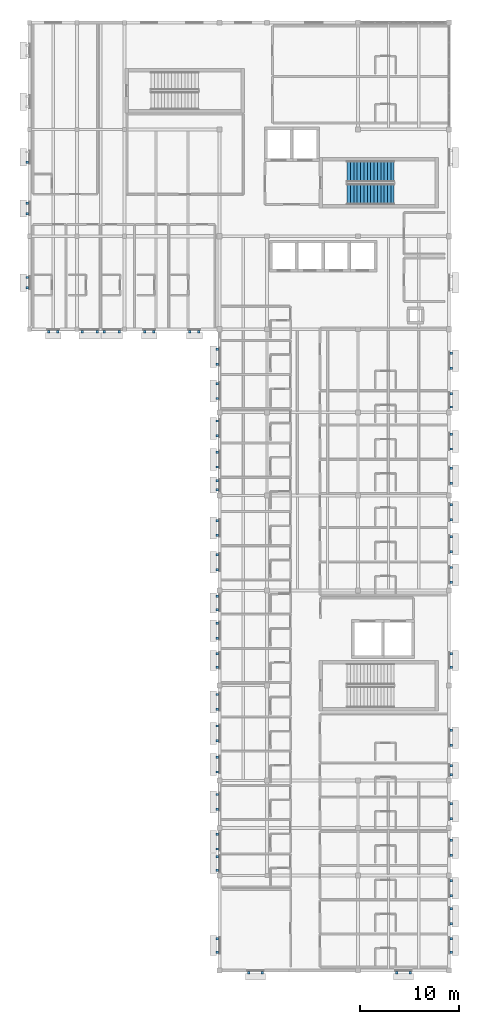
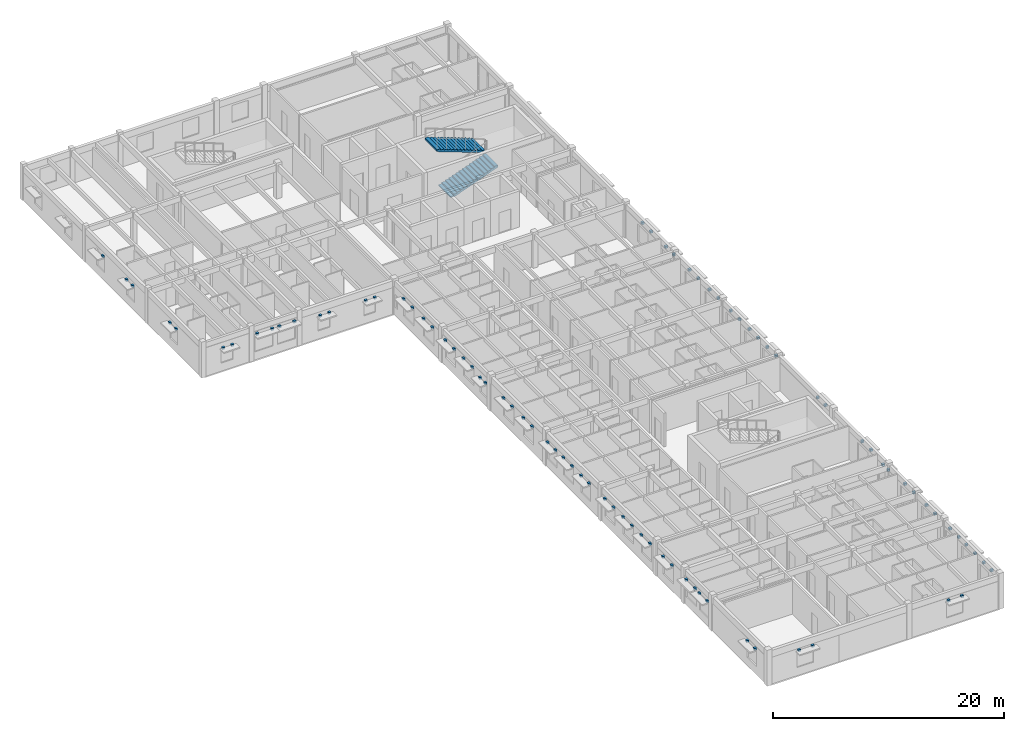
# One storey, part 16 of 20: 83 discrete accessories, 2 stair flights, 1 element without a shape of its own.
"""IFC4 building model written with IfcOpenShell, lengths in metres."""

import ifcopenshell
import ifcopenshell.guid

model = None  # the IFC model being written
_history = None  # IfcOwnerHistory: only IFC2X3 demands one
_inside = {}  # id of a spatial element -> (the spatial element, [elements in it])
_under = {}  # id of a project, library or spatial element -> (it, [spatial elements below it])
_declared = {}  # id of a project -> (the project, [libraries it declares])
_typed = {}  # id of a type object -> (the type object, [elements of that type])
_made_of = {}  # id of a material, layer set ... -> (it, [elements and type objects made of it])


def new_model(schema):
    """Start an empty IFC model of exactly this schema.

    Asked for "IFC4X3", IfcOpenShell would pick the latest addendum, in which some entities
    have other attributes; the version numbers below select the first issue.
    IFC2X3 requires an IfcOwnerHistory on every rooted entity: one is made here for all.
    """
    global model, _history
    if schema == "IFC4X3":
        model = ifcopenshell.file(schema_version=(4, 3, 0, 0))
    else:
        model = ifcopenshell.file(schema=schema)
    _inside.clear()
    _under.clear()
    _declared.clear()
    _typed.clear()
    _made_of.clear()
    _history = None
    if model.schema == "IFC2X3":
        org = make("IfcOrganization", Name="unknown")
        user = make(
            "IfcPersonAndOrganization",
            ThePerson=make("IfcPerson", FamilyName="unknown"),
            TheOrganization=org,
        )
        app = make(
            "IfcApplication",
            ApplicationDeveloper=org,
            Version="unknown",
            ApplicationFullName="unknown",
            ApplicationIdentifier="unknown",
        )
        _history = make(
            "IfcOwnerHistory",
            OwningUser=user,
            OwningApplication=app,
            ChangeAction="ADDED",
            CreationDate=0,
        )
    return model


def make(cls, **values):
    """One entity of the class cls with the attributes given. An attribute that is None is left unset."""
    return model.create_entity(
        cls, **{name: value for name, value in values.items() if value is not None}
    )


def rooted(cls, **values):
    """An entity with a GlobalId (a new one), such as an element, a storey or a relation."""
    return make(cls, GlobalId=ifcopenshell.guid.new(), OwnerHistory=_history, **values)


def si_unit(unit_type, name, prefix=None):
    """IfcSIUnit, for example si_unit("LENGTHUNIT", "METRE", prefix="MILLI")."""
    return make("IfcSIUnit", UnitType=unit_type, Prefix=prefix, Name=name)


def assignment(units):
    """IfcUnitAssignment: the units of a project."""
    return None if units is None else make("IfcUnitAssignment", Units=units)


def point(xyz):
    """IfcCartesianPoint."""
    return None if xyz is None else make("IfcCartesianPoint", Coordinates=xyz)


def direction(xyz):
    """IfcDirection."""
    return None if xyz is None else make("IfcDirection", DirectionRatios=xyz)


def frame(location, z_axis=None, x_axis=None):
    """IfcAxis2Placement3D, a coordinate frame: its origin and axes. An axis left out is left unset."""
    return make(
        "IfcAxis2Placement3D",
        Location=point(location),
        Axis=direction(z_axis),
        RefDirection=direction(x_axis),
    )


def frame_2d(location, x_axis=None):
    """IfcAxis2Placement2D, a coordinate frame in the plane: its origin and x axis."""
    return make(
        "IfcAxis2Placement2D", Location=point(location), RefDirection=direction(x_axis)
    )


def origin():
    """The frame at (0, 0, 0) with its axes left unset."""
    return frame((0.0, 0.0, 0.0))


def origin_2d():
    """The frame at (0, 0) in the plane with its x axis left unset."""
    return frame_2d((0.0, 0.0))


def place(relative_to, where):
    """IfcLocalPlacement: puts the frame where relative to a parent placement (None: the world)."""
    return make(
        "IfcLocalPlacement", PlacementRelTo=relative_to, RelativePlacement=where
    )


def context(
    kind, dimensions, precision=None, world=None, true_north=None, identifier=None
):
    """IfcGeometricRepresentationContext, for example the 3D "Model" context."""
    return make(
        "IfcGeometricRepresentationContext",
        ContextIdentifier=identifier,
        ContextType=kind,
        CoordinateSpaceDimension=dimensions,
        Precision=precision,
        WorldCoordinateSystem=world,
        TrueNorth=true_north,
    )


def subcontext(parent, identifier, kind, view, scale=None):
    """IfcGeometricRepresentationSubContext, for example "Body" below "Model"."""
    return make(
        "IfcGeometricRepresentationSubContext",
        ContextIdentifier=identifier,
        ContextType=kind,
        ParentContext=parent,
        TargetScale=scale,
        TargetView=view,
    )


def project(units=None, contexts=None):
    """IfcProject with its units and contexts."""
    return rooted(
        "IfcProject",
        Name="project",
        RepresentationContexts=contexts,
        UnitsInContext=assignment(units),
    )


def spatial(cls, under=None, at=None, **own):
    """A site, building, storey or space (cls), placed at a placement, below another one or the project."""
    s = rooted(cls, ObjectPlacement=at, **own)
    if under is not None:
        _under.setdefault(under.id(), (under, []))[1].append(s)
    return s


def polyline(points):
    """IfcPolyline through the points."""
    return make("IfcPolyline", Points=[point(p) for p in points])


def profile(cls, at=None, kind="AREA", **sizes):
    """A parametric profile (cls). Its sizes go by their IFC names, for example OverallWidth=200.0."""
    return make(cls, ProfileType=kind, Position=at, **sizes)


def rectangle(**sizes):
    """IfcRectangleProfileDef."""
    return profile("IfcRectangleProfileDef", **sizes)


def outline(outer, holes=None, kind="AREA"):
    """IfcArbitraryClosedProfileDef: a profile drawn as a closed curve; with holes, ...WithVoids."""
    if holes is None:
        return make("IfcArbitraryClosedProfileDef", ProfileType=kind, OuterCurve=outer)
    return make(
        "IfcArbitraryProfileDefWithVoids",
        ProfileType=kind,
        OuterCurve=outer,
        InnerCurves=holes,
    )


def extrude(swept, where, along, depth):
    """IfcExtrudedAreaSolid: the profile swept, set in the frame where, extruded along a direction by depth."""
    return make(
        "IfcExtrudedAreaSolid",
        SweptArea=swept,
        Position=where,
        ExtrudedDirection=direction(along),
        Depth=depth,
    )


def shape(context_of_items, identifier, shape_type, items):
    """IfcShapeRepresentation: the items that make up one representation, for example the "Body"."""
    return make(
        "IfcShapeRepresentation",
        ContextOfItems=context_of_items,
        RepresentationIdentifier=identifier,
        RepresentationType=shape_type,
        Items=items,
    )


def material(Name=None, Category=None):
    """IfcMaterial."""
    return make("IfcMaterial", Name=Name, Category=Category)


def made_of(thing, what):
    """Note that an element or type object is made of a material, layer set ...; save() writes the relation."""
    if what is not None:
        _made_of.setdefault(what.id(), (what, []))[1].append(thing)
    return thing


def type_object(cls, material=None, **own):
    """A type object (cls), such as IfcWallType, which elements share."""
    return made_of(rooted(cls, **own), material)


def element(
    cls,
    number,
    at=None,
    inside=None,
    cuts=None,
    type_object=None,
    material=None,
    context=None,
    identifier="Body",
    shape_type=None,
    held_by="IfcProductDefinitionShape",
    body=None,
    shapes=None,
    **own,
):
    """One element of the class cls, such as IfcWall. Its Tag is "e" and its number.

    at: its placement. inside: the storey or other place that contains it. cuts: it is an
    opening in that element (IfcRelVoidsElement). A single representation is given by context,
    identifier, shape_type and body (its items); several are given by shapes. held_by: the class
    of the entity that holds the representations. save() writes the other relations.
    """
    e = rooted(cls, Tag="e%d" % number, ObjectPlacement=at, **own)
    if body is not None:
        shapes = [shape(context, identifier, shape_type, body)]
    if shapes is not None:
        e.Representation = make(held_by, Representations=shapes)
    if inside is not None:
        _inside.setdefault(inside.id(), (inside, []))[1].append(e)
    if cuts is not None:
        rooted(
            "IfcRelVoidsElement", RelatingBuildingElement=cuts, RelatedOpeningElement=e
        )
    if type_object is not None:
        _typed.setdefault(type_object.id(), (type_object, []))[1].append(e)
    return made_of(e, material)


def aggregate(whole, parts):
    """IfcRelAggregates: a whole, such as a stair, and the parts it consists of."""
    return rooted("IfcRelAggregates", RelatingObject=whole, RelatedObjects=parts)


def save(model, path):
    """Write the relations noted so far, then the file.

    IfcRelAggregates (storeys below a building ...), IfcRelContainedInSpatialStructure (elements
    in a storey), IfcRelDefinesByType, IfcRelAssociatesMaterial and IfcRelDeclares: one each for
    every whole, place, type object, material and project.
    """
    for whole, parts in _under.values():
        aggregate(whole, parts)
    for where, things in _inside.values():
        rooted(
            "IfcRelContainedInSpatialStructure",
            RelatedElements=things,
            RelatingStructure=where,
        )
    for kind, things in _typed.values():
        rooted("IfcRelDefinesByType", RelatedObjects=things, RelatingType=kind)
    for what, things in _made_of.values():
        rooted("IfcRelAssociatesMaterial", RelatedObjects=things, RelatingMaterial=what)
    for by, libraries in _declared.values():
        rooted("IfcRelDeclares", RelatingContext=by, RelatedDefinitions=libraries)
    model.write(path)


model = new_model("IFC4")

# Units and contexts
model_context = context("Model", 3, precision=1e-05, world=origin(), true_north=direction((0.0, 1.0)))
body_context = subcontext(model_context, "Body", "Model", "MODEL_VIEW")
ifc_project = project(units=[si_unit("LENGTHUNIT", "METRE"), si_unit("AREAUNIT", "SQUARE_METRE"), si_unit("VOLUMEUNIT", "CUBIC_METRE"), si_unit("PLANEANGLEUNIT", "RADIAN"), si_unit("MASSUNIT", "GRAM", prefix="KILO")], contexts=[model_context])

# Site, building, storey
site_placement = place(None, origin())
site = spatial("IfcSite", under=ifc_project, at=site_placement, CompositionType="ELEMENT")
building_placement = place(site_placement, origin())
building = spatial("IfcBuilding", under=site, at=building_placement, Name="Veldera Park Congress Hotel", CompositionType="ELEMENT")
storey_placement = place(building_placement, frame((0.0, 0.0, 27.60009765625)))
storey = spatial("IfcBuildingStorey", under=building, at=storey_placement, Name="L06", CompositionType="ELEMENT", Elevation=27.60009765625)

# Stair, stair flights
ifc_material_1 = material(Name="Concrete f'c 40 MPa (5,800 psi)", Category="concrete")
stair_type = type_object("IfcStairType", Name="ST1", PredefinedType="HALF_TURN_STAIR", material=ifc_material_1)
stair_placement = place(storey_placement, origin())
stair = element("IfcStair", 1, at=stair_placement, inside=storey, type_object=stair_type, Name="L06 Protected Exit Stair ST1", PredefinedType="HALF_TURN_STAIR")
stair_flight_type = type_object("IfcStairFlightType", Name="SFL-ST1", PredefinedType="STRAIGHT", material=ifc_material_1)
stair_flight_1_placement = place(storey_placement, frame((73.699951171875, 40.64990234375, 0.0), z_axis=(0.0, 0.0, 1.0), x_axis=(1.0, 0.0, 0.0)))
stair_flight_1 = element("IfcStairFlight", 2, at=stair_flight_1_placement, type_object=stair_flight_type, Name="ST1 flight 1", NumberOfRisers=15, NumberOfTreads=14, PredefinedType="STRAIGHT", RiserHeight=0.126666667, TreadLength=0.34, context=body_context, shape_type="SweptSolid", body=[
    extrude(outline(polyline([(0.0, 0.0), (0.0, 0.126708984375), (0.340087890625, 0.126708984375), (0.340087890625, 0.25341796875), (0.679931640625, 0.25341796875), (0.679931640625, 0.3798828125), (1.02001953125, 0.3798828125), (1.02001953125, 0.506591796875), (1.360107421875, 0.506591796875), (1.360107421875, 0.63330078125), (1.699951171875, 0.63330078125), (1.699951171875, 0.760009765625), (2.0400390625, 0.760009765625), (2.0400390625, 0.88671875), (2.3798828125, 0.88671875), (2.3798828125, 1.013427734375), (2.719970703125, 1.013427734375), (2.719970703125, 1.139892578125), (3.06005859375, 1.139892578125), (3.06005859375, 1.2666015625), (3.39990234375, 1.2666015625), (3.39990234375, 1.393310546875), (3.739990234375, 1.393310546875), (3.739990234375, 1.52001953125), (4.080078125, 1.52001953125), (4.080078125, 1.646728515625), (4.419921875, 1.646728515625), (4.419921875, 1.7734375), (4.760009765625, 1.7734375), (4.760009765625, 1.89990234375), (4.760009765625, 1.89990234375), (4.760009765625, 1.581298828125), (0.515380859375, 0.0), (0.0, 0.0)])), frame((0.0, 1.050048828125, 0.0), z_axis=(0.0, -1.0, 0.0), x_axis=(1.0, 0.0, 0.0)), (0.0, 0.0, 1.0), 2.10009765625),
])
stair_flight_2_placement = place(storey_placement, frame((78.4599609375, 42.949951171875, 1.89990234375), z_axis=(0.0, 0.0, 1.0), x_axis=(-1.0, 0.0, 0.0)))
stair_flight_2 = element("IfcStairFlight", 3, at=stair_flight_2_placement, type_object=stair_flight_type, Name="ST1 flight 2", NumberOfRisers=15, NumberOfTreads=14, PredefinedType="STRAIGHT", RiserHeight=0.126666667, TreadLength=0.34, context=body_context, shape_type="SweptSolid", body=[
    extrude(outline(polyline([(0.0, 0.0), (0.0, 0.126708984375), (0.340087890625, 0.126708984375), (0.340087890625, 0.25341796875), (0.679931640625, 0.25341796875), (0.679931640625, 0.3798828125), (1.02001953125, 0.3798828125), (1.02001953125, 0.506591796875), (1.360107421875, 0.506591796875), (1.360107421875, 0.63330078125), (1.699951171875, 0.63330078125), (1.699951171875, 0.760009765625), (2.0400390625, 0.760009765625), (2.0400390625, 0.88671875), (2.3798828125, 0.88671875), (2.3798828125, 1.013427734375), (2.719970703125, 1.013427734375), (2.719970703125, 1.139892578125), (3.06005859375, 1.139892578125), (3.06005859375, 1.2666015625), (3.39990234375, 1.2666015625), (3.39990234375, 1.393310546875), (3.739990234375, 1.393310546875), (3.739990234375, 1.52001953125), (4.080078125, 1.52001953125), (4.080078125, 1.646728515625), (4.419921875, 1.646728515625), (4.419921875, 1.7734375), (4.760009765625, 1.7734375), (4.760009765625, 1.89990234375), (4.760009765625, 1.89990234375), (4.760009765625, 1.581298828125), (0.515380859375, 0.0), (0.0, 0.0)])), frame((0.0, 1.050048828125, 0.0), z_axis=(0.0, -1.0, 0.0), x_axis=(1.0, 0.0, 0.0)), (0.0, 0.0, 1.0), 2.10009765625),
])
aggregate(stair, [stair_flight_1, stair_flight_2])

# Discrete accessories
ifc_material_2 = material(Name="Steel ASTM A992 Gr.50", Category="steel")
discrete_accessory_type = type_object("IfcDiscreteAccessoryType", Name="ACC-BRK160", PredefinedType="BRACKET", material=ifc_material_2)
for number, where, z_axis, x_axis, name in (
    (4, (63.760009765625, -38.0400390625, 2.60009765625), (0.0, 0.0, 1.0), (1.0, 0.0, 0.0), "Shading Steel Outrigger Bracket 171L"),
    (5, (65.110107421875, -38.0400390625, 2.60009765625), (0.0, 0.0, 1.0), (1.0, 0.0, 0.0), "Shading Steel Outrigger Bracket 171R"),
    (6, (78.715087890625, -38.0400390625, 2.6201171875), (0.0, 0.0, 1.0), (1.0, 0.0, 0.0), "Shading Steel Outrigger Bracket 172L"),
    (7, (80.06494140625, -38.0400390625, 2.6201171875), (0.0, 0.0, 1.0), (1.0, 0.0, 0.0), "Shading Steel Outrigger Bracket 172R"),
    (8, (84.239990234375, -35.946044921875, 2.6201171875), (0.0, 0.0, 1.0), (0.0, 1.0, 0.0), "Shading Steel Outrigger Bracket 173L"),
    (9, (84.239990234375, -34.595947265625, 2.6201171875), (0.0, 0.0, 1.0), (0.0, 1.0, 0.0), "Shading Steel Outrigger Bracket 173R"),
    (10, (84.239990234375, -7.14599609375, 2.6201171875), (0.0, 0.0, 1.0), (0.0, 1.0, 0.0), "Shading Steel Outrigger Bracket 174L"),
    (11, (84.239990234375, -5.7958984375, 2.6201171875), (0.0, 0.0, 1.0), (0.0, 1.0, 0.0), "Shading Steel Outrigger Bracket 174R"),
    (12, (41.360107421875, 43.87109375, 2.4697265625), (0.0, 0.0, 1.0), (0.0, -1.0, 0.0), "Shading Steel Outrigger Bracket 179R"),
    (13, (41.360107421875, 39.72900390625, 2.4697265625), (0.0, 0.0, 1.0), (0.0, -1.0, 0.0), "Shading Steel Outrigger Bracket 180L"),
    (14, (41.360107421875, 38.678955078125, 2.4697265625), (0.0, 0.0, 1.0), (0.0, -1.0, 0.0), "Shading Steel Outrigger Bracket 180R"),
    (15, (41.360107421875, 32.232421875, 2.4697265625), (0.0, 0.0, 1.0), (0.0, -1.0, 0.0), "Shading Steel Outrigger Bracket 181L"),
    (16, (41.360107421875, 31.1826171875, 2.4697265625), (0.0, 0.0, 1.0), (0.0, -1.0, 0.0), "Shading Steel Outrigger Bracket 181R"),
    (17, (43.550048828125, 26.760009765625, 2.3701171875), (0.0, 0.0, 1.0), (1.0, 0.0, 0.0), "Shading Steel Outrigger Bracket 182L"),
    (18, (44.449951171875, 26.760009765625, 2.3701171875), (0.0, 0.0, 1.0), (1.0, 0.0, 0.0), "Shading Steel Outrigger Bracket 182R"),
    (19, (53.252685546875, 26.760009765625, 2.3701171875), (0.0, 0.0, 1.0), (1.0, 0.0, 0.0), "Shading Steel Outrigger Bracket 183L"),
    (20, (54.152587890625, 26.760009765625, 2.3701171875), (0.0, 0.0, 1.0), (1.0, 0.0, 0.0), "Shading Steel Outrigger Bracket 183R"),
    (21, (57.812255859375, 26.760009765625, 2.3701171875), (0.0, 0.0, 1.0), (1.0, 0.0, 0.0), "Shading Steel Outrigger Bracket 184L"),
    (22, (58.71240234375, 26.760009765625, 2.3701171875), (0.0, 0.0, 1.0), (1.0, 0.0, 0.0), "Shading Steel Outrigger Bracket 184R"),
    (23, (60.56005859375, -5.7958984375, 2.6201171875), (0.0, 0.0, 1.0), (0.0, -1.0, 0.0), "Shading Steel Outrigger Bracket 185L"),
    (24, (60.56005859375, -7.14599609375, 2.6201171875), (0.0, 0.0, 1.0), (0.0, -1.0, 0.0), "Shading Steel Outrigger Bracket 185R"),
    (25, (60.56005859375, -34.595947265625, 2.6201171875), (0.0, 0.0, 1.0), (0.0, -1.0, 0.0), "Shading Steel Outrigger Bracket 186L"),
    (26, (60.56005859375, -35.946044921875, 2.6201171875), (0.0, 0.0, 1.0), (0.0, -1.0, 0.0), "Shading Steel Outrigger Bracket 186R"),
    (27, (60.56005859375, -26.301025390625, 2.6201171875), (0.0, 0.0, 1.0), (0.0, -1.0, 0.0), "Shading Steel Outrigger Bracket 426L"),
    (28, (60.56005859375, -27.65087890625, 2.6201171875), (0.0, 0.0, 1.0), (0.0, -1.0, 0.0), "Shading Steel Outrigger Bracket 426R"),
    (29, (60.56005859375, -24.02392578125, 2.669921875), (0.0, 0.0, 1.0), (0.0, -1.0, 0.0), "Shading Steel Outrigger Bracket 427L"),
    (30, (60.56005859375, -25.52392578125, 2.669921875), (0.0, 0.0, 1.0), (0.0, -1.0, 0.0), "Shading Steel Outrigger Bracket 427R"),
    (31, (60.56005859375, -20.010009765625, 2.669921875), (0.0, 0.0, 1.0), (0.0, -1.0, 0.0), "Shading Steel Outrigger Bracket 428L"),
    (32, (60.56005859375, -21.510009765625, 2.669921875), (0.0, 0.0, 1.0), (0.0, -1.0, 0.0), "Shading Steel Outrigger Bracket 428R"),
    (33, (60.56005859375, -16.236083984375, 2.669921875), (0.0, 0.0, 1.0), (0.0, -1.0, 0.0), "Shading Steel Outrigger Bracket 429L"),
    (34, (60.56005859375, -17.736083984375, 2.669921875), (0.0, 0.0, 1.0), (0.0, -1.0, 0.0), "Shading Steel Outrigger Bracket 429R"),
    (35, (60.56005859375, -13.090087890625, 2.669921875), (0.0, 0.0, 1.0), (0.0, -1.0, 0.0), "Shading Steel Outrigger Bracket 430L"),
    (36, (60.56005859375, -14.590087890625, 2.669921875), (0.0, 0.0, 1.0), (0.0, -1.0, 0.0), "Shading Steel Outrigger Bracket 430R"),
    (37, (60.56005859375, -9.904052734375, 2.669921875), (0.0, 0.0, 1.0), (0.0, -1.0, 0.0), "Shading Steel Outrigger Bracket 431L"),
    (38, (60.56005859375, -11.404052734375, 2.669921875), (0.0, 0.0, 1.0), (0.0, -1.0, 0.0), "Shading Steel Outrigger Bracket 431R"),
    (39, (60.56005859375, -2.7099609375, 2.669921875), (0.0, 0.0, 1.0), (0.0, -1.0, 0.0), "Shading Steel Outrigger Bracket 432L"),
    (40, (60.56005859375, -4.2099609375, 2.669921875), (0.0, 0.0, 1.0), (0.0, -1.0, 0.0), "Shading Steel Outrigger Bracket 432R"),
    (41, (60.56005859375, 0.010986328125, 2.6201171875), (0.0, 0.0, 1.0), (0.0, -1.0, 0.0), "Shading Steel Outrigger Bracket 433L"),
    (42, (60.56005859375, -1.339111328125, 2.6201171875), (0.0, 0.0, 1.0), (0.0, -1.0, 0.0), "Shading Steel Outrigger Bracket 433R"),
    (43, (60.56005859375, 4.2099609375, 2.669921875), (0.0, 0.0, 1.0), (0.0, -1.0, 0.0), "Shading Steel Outrigger Bracket 434L"),
    (44, (60.56005859375, 2.7099609375, 2.669921875), (0.0, 0.0, 1.0), (0.0, -1.0, 0.0), "Shading Steel Outrigger Bracket 434R"),
    (45, (60.56005859375, 7.669921875, 2.669921875), (0.0, 0.0, 1.0), (0.0, -1.0, 0.0), "Shading Steel Outrigger Bracket 435L"),
    (46, (60.56005859375, 6.169921875, 2.669921875), (0.0, 0.0, 1.0), (0.0, -1.0, 0.0), "Shading Steel Outrigger Bracket 435R"),
    (47, (60.56005859375, 11.7041015625, 2.3701171875), (0.0, 0.0, 1.0), (0.0, -1.0, 0.0), "Shading Steel Outrigger Bracket 436L"),
    (48, (60.56005859375, 10.803955078125, 2.3701171875), (0.0, 0.0, 1.0), (0.0, -1.0, 0.0), "Shading Steel Outrigger Bracket 436R"),
    (49, (60.56005859375, 14.590087890625, 2.669921875), (0.0, 0.0, 1.0), (0.0, -1.0, 0.0), "Shading Steel Outrigger Bracket 437L"),
    (50, (60.56005859375, 13.090087890625, 2.669921875), (0.0, 0.0, 1.0), (0.0, -1.0, 0.0), "Shading Steel Outrigger Bracket 437R"),
    (51, (60.56005859375, 17.736083984375, 2.669921875), (0.0, 0.0, 1.0), (0.0, -1.0, 0.0), "Shading Steel Outrigger Bracket 438L"),
    (52, (60.56005859375, 16.236083984375, 2.669921875), (0.0, 0.0, 1.0), (0.0, -1.0, 0.0), "Shading Steel Outrigger Bracket 438R"),
    (53, (60.56005859375, 21.510009765625, 2.669921875), (0.0, 0.0, 1.0), (0.0, -1.0, 0.0), "Shading Steel Outrigger Bracket 439L"),
    (54, (60.56005859375, 20.010009765625, 2.669921875), (0.0, 0.0, 1.0), (0.0, -1.0, 0.0), "Shading Steel Outrigger Bracket 439R"),
    (55, (60.56005859375, 24.969970703125, 2.669921875), (0.0, 0.0, 1.0), (0.0, -1.0, 0.0), "Shading Steel Outrigger Bracket 440L"),
    (56, (60.56005859375, 23.469970703125, 2.669921875), (0.0, 0.0, 1.0), (0.0, -1.0, 0.0), "Shading Steel Outrigger Bracket 440R"),
    (57, (84.239990234375, -33.070068359375, 2.669921875), (0.0, 0.0, 1.0), (0.0, 1.0, 0.0), "Shading Steel Outrigger Bracket 441L"),
    (58, (84.239990234375, -31.570068359375, 2.669921875), (0.0, 0.0, 1.0), (0.0, 1.0, 0.0), "Shading Steel Outrigger Bracket 441R"),
    (59, (84.239990234375, -30.243896484375, 2.669921875), (0.0, 0.0, 1.0), (0.0, 1.0, 0.0), "Shading Steel Outrigger Bracket 442L"),
    (60, (84.239990234375, -28.743896484375, 2.669921875), (0.0, 0.0, 1.0), (0.0, 1.0, 0.0), "Shading Steel Outrigger Bracket 442R"),
    (61, (84.239990234375, -26.14990234375, 2.669921875), (0.0, 0.0, 1.0), (0.0, 1.0, 0.0), "Shading Steel Outrigger Bracket 443L"),
    (62, (84.239990234375, -24.64990234375, 2.669921875), (0.0, 0.0, 1.0), (0.0, 1.0, 0.0), "Shading Steel Outrigger Bracket 443R"),
    (63, (84.239990234375, -22.4560546875, 2.669921875), (0.0, 0.0, 1.0), (0.0, 1.0, 0.0), "Shading Steel Outrigger Bracket 444L"),
    (64, (84.239990234375, -20.9560546875, 2.669921875), (0.0, 0.0, 1.0), (0.0, 1.0, 0.0), "Shading Steel Outrigger Bracket 444R"),
    (65, (84.239990234375, -18.02587890625, 2.3701171875), (0.0, 0.0, 1.0), (0.0, 1.0, 0.0), "Shading Steel Outrigger Bracket 445L"),
    (66, (84.239990234375, -17.1259765625, 2.3701171875), (0.0, 0.0, 1.0), (0.0, 1.0, 0.0), "Shading Steel Outrigger Bracket 445R"),
    (67, (84.239990234375, -15.030029296875, 2.669921875), (0.0, 0.0, 1.0), (0.0, 1.0, 0.0), "Shading Steel Outrigger Bracket 446L"),
    (68, (84.239990234375, -13.530029296875, 2.669921875), (0.0, 0.0, 1.0), (0.0, 1.0, 0.0), "Shading Steel Outrigger Bracket 446R"),
    (69, (84.239990234375, 1.424072265625, 2.669921875), (0.0, 0.0, 1.0), (0.0, 1.0, 0.0), "Shading Steel Outrigger Bracket 447L"),
    (70, (84.239990234375, 2.924072265625, 2.669921875), (0.0, 0.0, 1.0), (0.0, 1.0, 0.0), "Shading Steel Outrigger Bracket 447R"),
    (71, (84.239990234375, 4.530029296875, 2.669921875), (0.0, 0.0, 1.0), (0.0, 1.0, 0.0), "Shading Steel Outrigger Bracket 448L"),
    (72, (84.239990234375, 6.030029296875, 2.669921875), (0.0, 0.0, 1.0), (0.0, 1.0, 0.0), "Shading Steel Outrigger Bracket 448R"),
    (73, (84.239990234375, 7.756103515625, 2.669921875), (0.0, 0.0, 1.0), (0.0, 1.0, 0.0), "Shading Steel Outrigger Bracket 449L"),
    (74, (84.239990234375, 9.256103515625, 2.669921875), (0.0, 0.0, 1.0), (0.0, 1.0, 0.0), "Shading Steel Outrigger Bracket 449R"),
    (75, (84.239990234375, 11.449951171875, 2.669921875), (0.0, 0.0, 1.0), (0.0, 1.0, 0.0), "Shading Steel Outrigger Bracket 450L"),
    (76, (84.239990234375, 12.949951171875, 2.669921875), (0.0, 0.0, 1.0), (0.0, 1.0, 0.0), "Shading Steel Outrigger Bracket 450R"),
    (77, (84.239990234375, 14.909912109375, 2.669921875), (0.0, 0.0, 1.0), (0.0, 1.0, 0.0), "Shading Steel Outrigger Bracket 451L"),
    (78, (84.239990234375, 16.409912109375, 2.669921875), (0.0, 0.0, 1.0), (0.0, 1.0, 0.0), "Shading Steel Outrigger Bracket 451R"),
    (79, (84.239990234375, 19.14892578125, 2.6201171875), (0.0, 0.0, 1.0), (0.0, 1.0, 0.0), "Shading Steel Outrigger Bracket 452L"),
    (80, (84.239990234375, 20.4990234375, 2.6201171875), (0.0, 0.0, 1.0), (0.0, 1.0, 0.0), "Shading Steel Outrigger Bracket 452R"),
    (81, (84.239990234375, 23.075927734375, 2.669921875), (0.0, 0.0, 1.0), (0.0, 1.0, 0.0), "Shading Steel Outrigger Bracket 453L"),
    (82, (84.239990234375, 24.575927734375, 2.669921875), (0.0, 0.0, 1.0), (0.0, 1.0, 0.0), "Shading Steel Outrigger Bracket 453R"),
    (83, (46.9365234375, 26.760009765625, 2.669921875), (0.0, 0.0, 1.0), (1.0, 0.0, 0.0), "Shading Steel Outrigger Bracket 454L"),
    (84, (48.4365234375, 26.760009765625, 2.669921875), (0.0, 0.0, 1.0), (1.0, 0.0, 0.0), "Shading Steel Outrigger Bracket 454R"),
    (85, (49.173583984375, 26.760009765625, 2.669921875), (0.0, 0.0, 1.0), (1.0, 0.0, 0.0), "Shading Steel Outrigger Bracket 455L"),
    (86, (50.673583984375, 26.760009765625, 2.669921875), (0.0, 0.0, 1.0), (1.0, 0.0, 0.0), "Shading Steel Outrigger Bracket 455R"),
):
    element("IfcDiscreteAccessory", number, at=place(storey_placement, frame(where, z_axis=z_axis, x_axis=x_axis)), inside=storey, type_object=discrete_accessory_type, Name=name, PredefinedType="BRACKET", context=body_context, shape_type="SweptSolid", body=[
        extrude(rectangle(XDim=0.239990234375, YDim=0.239990234375, at=origin_2d()), origin(), (0.0, 0.0, 1.0), 0.219970703125),
    ])

save(model, "model.ifc")
